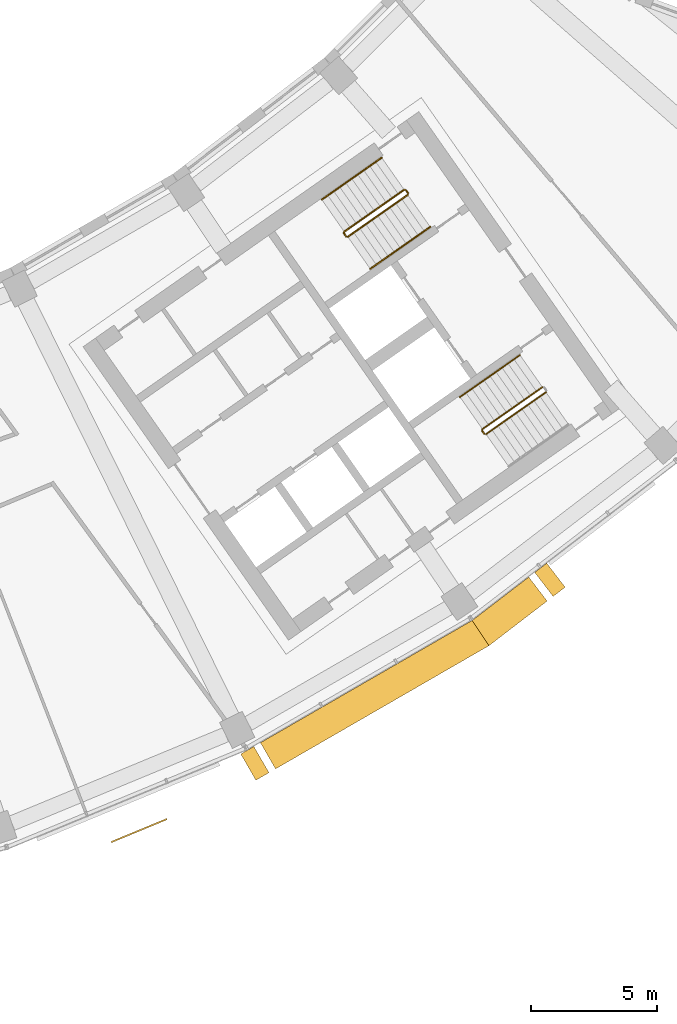
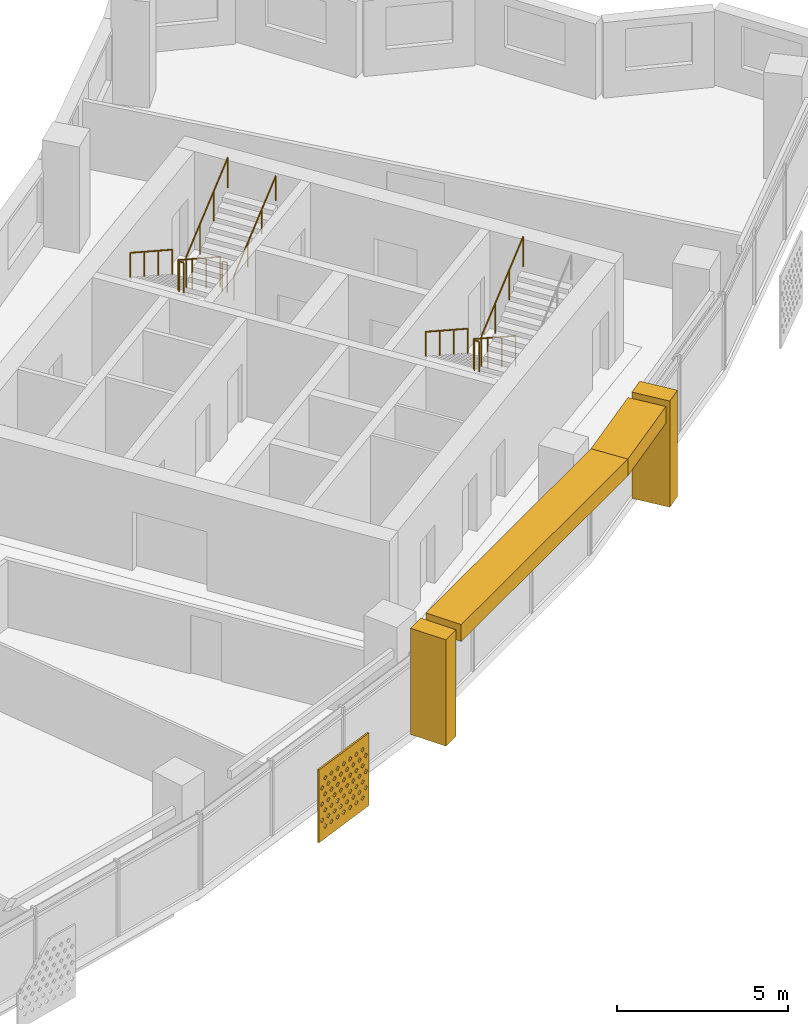
# One storey, part 26 of 27: 8 railings, 5 shading devices.
"""IFC4 building model written with IfcOpenShell, lengths in metres."""

from ifc_helpers import new_model, si_unit, direction, frame, origin, origin_2d, place, context, subcontext, project, spatial, polyline, circle, outline, extrude, material, material_profile, profile_set, type_object, element, save


model = new_model("IFC4")

# Units and contexts
model_context = context("Model", 3, precision=1e-05, world=origin(), true_north=direction((0.0, 1.0)))
body_context = subcontext(model_context, "Body", "Model", "MODEL_VIEW")
ifc_project = project(units=[si_unit("LENGTHUNIT", "METRE"), si_unit("AREAUNIT", "SQUARE_METRE"), si_unit("VOLUMEUNIT", "CUBIC_METRE"), si_unit("PLANEANGLEUNIT", "RADIAN"), si_unit("MASSUNIT", "GRAM", prefix="KILO")], contexts=[model_context])

# Site, building, storey
site_placement = place(None, origin())
site = spatial("IfcSite", under=ifc_project, at=site_placement, CompositionType="ELEMENT")
building_placement = place(site_placement, origin())
building = spatial("IfcBuilding", under=site, at=building_placement, Name="Qamariyya Broadcast Tower", CompositionType="ELEMENT")
storey_placement = place(building_placement, frame((0.0, 0.0, 237.89990234375)))
storey = spatial("IfcBuildingStorey", under=building, at=storey_placement, Name="L57", CompositionType="ELEMENT", Elevation=237.89990234375)

# Shading devices
ifc_material_1 = material(Name="Steel S355 powder coated deep red", Category="steel")
shading_device_type_1 = type_object("IfcShadingDeviceType", Name="Deep red frame, powder coated steel box section", PredefinedType="USERDEFINED", material=ifc_material_1)
shading_device_1_placement = place(storey_placement, origin())
element("IfcShadingDevice", 1, at=shading_device_1_placement, inside=storey, type_object=shading_device_type_1, Name="e-frm-B4-F3-posta-L57", ObjectType="FRAME", PredefinedType="USERDEFINED", context=body_context, shape_type="SweptSolid", body=[
    extrude(outline(polyline([(34.526123046875, -70.68896484375), (35.126220703125, -71.728271484375), (35.645751953125, -71.42822265625), (35.0458984375, -70.38916015625), (34.526123046875, -70.68896484375)])), origin(), (0.0, 0.0, 1.0), 3.800048828125),
])
shading_device_2_placement = place(storey_placement, origin())
element("IfcShadingDevice", 2, at=shading_device_2_placement, inside=storey, type_object=shading_device_type_1, Name="e-frm-B4-F3-postb-L57", ObjectType="FRAME", PredefinedType="USERDEFINED", context=body_context, shape_type="SweptSolid", body=[
    extrude(outline(polyline([(46.17822265625, -63.489990234375), (46.90869140625, -64.442138671875), (47.384765625, -64.076904296875), (46.654296875, -63.124755859375), (46.17822265625, -63.489990234375)])), origin(), (0.0, 0.0, 1.0), 3.800048828125),
])
shading_device_3_placement = place(storey_placement, frame((0.0, 0.0, 3.2001953125)))
element("IfcShadingDevice", 3, at=shading_device_3_placement, inside=storey, type_object=shading_device_type_1, Name="e-frm-B4-F3-top0", ObjectType="FRAME", PredefinedType="USERDEFINED", context=body_context, shape_type="SweptSolid", body=[
    extrude(outline(polyline([(35.3056640625, -70.239013671875), (35.905517578125, -71.2783203125), (44.36376953125, -66.39501953125), (43.695556640625, -65.39501953125), (35.3056640625, -70.239013671875)])), origin(), (0.0, 0.0, 1.0), 0.599853515625),
])
shading_device_4_placement = place(storey_placement, frame((0.0, 0.0, 3.2001953125)))
element("IfcShadingDevice", 4, at=shading_device_4_placement, inside=storey, type_object=shading_device_type_1, Name="e-frm-B4-F3-top1", ObjectType="FRAME", PredefinedType="USERDEFINED", context=body_context, shape_type="SweptSolid", body=[
    extrude(outline(polyline([(43.695556640625, -65.39501953125), (44.36376953125, -66.39501953125), (46.670654296875, -64.624755859375), (45.940185546875, -63.672607421875), (43.695556640625, -65.39501953125)])), origin(), (0.0, 0.0, 1.0), 0.599853515625),
])
ifc_material_2 = material(Name="Perforated glazed terracotta", Category="masonry")
ifc_material_profile = material_profile(ifc_material_2, outline(polyline([(-1.199951171875, -1.300048828125), (1.199951171875, -1.300048828125), (1.199951171875, 1.300048828125), (-1.199951171875, 1.300048828125), (-1.199951171875, -1.300048828125)]), holes=[polyline([(-0.81494140625, -0.86669921875), (-0.89990234375, -0.78173828125), (-0.985107421875, -0.86669921875), (-0.89990234375, -0.95166015625), (-0.81494140625, -0.86669921875)]), polyline([(-0.514892578125, -0.86669921875), (-0.60009765625, -0.78173828125), (-0.68505859375, -0.86669921875), (-0.60009765625, -0.95166015625), (-0.514892578125, -0.86669921875)]), polyline([(-0.215087890625, -0.86669921875), (-0.300048828125, -0.78173828125), (-0.385009765625, -0.86669921875), (-0.300048828125, -0.95166015625), (-0.215087890625, -0.86669921875)]), polyline([(0.0849609375, -0.86669921875), (0.0, -0.78173828125), (-0.0849609375, -0.86669921875), (0.0, -0.95166015625), (0.0849609375, -0.86669921875)]), polyline([(0.385009765625, -0.86669921875), (0.300048828125, -0.78173828125), (0.215087890625, -0.86669921875), (0.300048828125, -0.95166015625), (0.385009765625, -0.86669921875)]), polyline([(0.68505859375, -0.86669921875), (0.60009765625, -0.78173828125), (0.514892578125, -0.86669921875), (0.60009765625, -0.95166015625), (0.68505859375, -0.86669921875)]), polyline([(0.985107421875, -0.86669921875), (0.89990234375, -0.78173828125), (0.81494140625, -0.86669921875), (0.89990234375, -0.95166015625), (0.985107421875, -0.86669921875)]), polyline([(-0.965087890625, -0.577880859375), (-1.050048828125, -0.49267578125), (-1.135009765625, -0.577880859375), (-1.050048828125, -0.662841796875), (-0.965087890625, -0.577880859375)]), polyline([(-0.6650390625, -0.577880859375), (-0.75, -0.49267578125), (-0.8349609375, -0.577880859375), (-0.75, -0.662841796875), (-0.6650390625, -0.577880859375)]), polyline([(-0.364990234375, -0.577880859375), (-0.449951171875, -0.49267578125), (-0.534912109375, -0.577880859375), (-0.449951171875, -0.662841796875), (-0.364990234375, -0.577880859375)]), polyline([(-0.06494140625, -0.577880859375), (-0.14990234375, -0.49267578125), (-0.235107421875, -0.577880859375), (-0.14990234375, -0.662841796875), (-0.06494140625, -0.577880859375)]), polyline([(0.235107421875, -0.577880859375), (0.14990234375, -0.49267578125), (0.06494140625, -0.577880859375), (0.14990234375, -0.662841796875), (0.235107421875, -0.577880859375)]), polyline([(0.534912109375, -0.577880859375), (0.449951171875, -0.49267578125), (0.364990234375, -0.577880859375), (0.449951171875, -0.662841796875), (0.534912109375, -0.577880859375)]), polyline([(0.8349609375, -0.577880859375), (0.75, -0.49267578125), (0.6650390625, -0.577880859375), (0.75, -0.662841796875), (0.8349609375, -0.577880859375)]), polyline([(1.135009765625, -0.577880859375), (1.050048828125, -0.49267578125), (0.965087890625, -0.577880859375), (1.050048828125, -0.662841796875), (1.135009765625, -0.577880859375)]), polyline([(-0.81494140625, -0.288818359375), (-0.89990234375, -0.203857421875), (-0.985107421875, -0.288818359375), (-0.89990234375, -0.373779296875), (-0.81494140625, -0.288818359375)]), polyline([(-0.514892578125, -0.288818359375), (-0.60009765625, -0.203857421875), (-0.68505859375, -0.288818359375), (-0.60009765625, -0.373779296875), (-0.514892578125, -0.288818359375)]), polyline([(-0.215087890625, -0.288818359375), (-0.300048828125, -0.203857421875), (-0.385009765625, -0.288818359375), (-0.300048828125, -0.373779296875), (-0.215087890625, -0.288818359375)]), polyline([(0.0849609375, -0.288818359375), (0.0, -0.203857421875), (-0.0849609375, -0.288818359375), (0.0, -0.373779296875), (0.0849609375, -0.288818359375)]), polyline([(0.385009765625, -0.288818359375), (0.300048828125, -0.203857421875), (0.215087890625, -0.288818359375), (0.300048828125, -0.373779296875), (0.385009765625, -0.288818359375)]), polyline([(0.68505859375, -0.288818359375), (0.60009765625, -0.203857421875), (0.514892578125, -0.288818359375), (0.60009765625, -0.373779296875), (0.68505859375, -0.288818359375)]), polyline([(0.985107421875, -0.288818359375), (0.89990234375, -0.203857421875), (0.81494140625, -0.288818359375), (0.89990234375, -0.373779296875), (0.985107421875, -0.288818359375)]), polyline([(-0.965087890625, 0.0), (-1.050048828125, 0.0849609375), (-1.135009765625, 0.0), (-1.050048828125, -0.0849609375), (-0.965087890625, 0.0)]), polyline([(-0.6650390625, 0.0), (-0.75, 0.0849609375), (-0.8349609375, 0.0), (-0.75, -0.0849609375), (-0.6650390625, 0.0)]), polyline([(-0.364990234375, 0.0), (-0.449951171875, 0.0849609375), (-0.534912109375, 0.0), (-0.449951171875, -0.0849609375), (-0.364990234375, 0.0)]), polyline([(-0.06494140625, 0.0), (-0.14990234375, 0.0849609375), (-0.235107421875, 0.0), (-0.14990234375, -0.0849609375), (-0.06494140625, 0.0)]), polyline([(0.235107421875, 0.0), (0.14990234375, 0.0849609375), (0.06494140625, 0.0), (0.14990234375, -0.0849609375), (0.235107421875, 0.0)]), polyline([(0.534912109375, 0.0), (0.449951171875, 0.0849609375), (0.364990234375, 0.0), (0.449951171875, -0.0849609375), (0.534912109375, 0.0)]), polyline([(0.8349609375, 0.0), (0.75, 0.0849609375), (0.6650390625, 0.0), (0.75, -0.0849609375), (0.8349609375, 0.0)]), polyline([(1.135009765625, 0.0), (1.050048828125, 0.0849609375), (0.965087890625, 0.0), (1.050048828125, -0.0849609375), (1.135009765625, 0.0)]), polyline([(-0.81494140625, 0.288818359375), (-0.89990234375, 0.373779296875), (-0.985107421875, 0.288818359375), (-0.89990234375, 0.203857421875), (-0.81494140625, 0.288818359375)]), polyline([(-0.514892578125, 0.288818359375), (-0.60009765625, 0.373779296875), (-0.68505859375, 0.288818359375), (-0.60009765625, 0.203857421875), (-0.514892578125, 0.288818359375)]), polyline([(-0.215087890625, 0.288818359375), (-0.300048828125, 0.373779296875), (-0.385009765625, 0.288818359375), (-0.300048828125, 0.203857421875), (-0.215087890625, 0.288818359375)]), polyline([(0.0849609375, 0.288818359375), (0.0, 0.373779296875), (-0.0849609375, 0.288818359375), (0.0, 0.203857421875), (0.0849609375, 0.288818359375)]), polyline([(0.385009765625, 0.288818359375), (0.300048828125, 0.373779296875), (0.215087890625, 0.288818359375), (0.300048828125, 0.203857421875), (0.385009765625, 0.288818359375)]), polyline([(0.68505859375, 0.288818359375), (0.60009765625, 0.373779296875), (0.514892578125, 0.288818359375), (0.60009765625, 0.203857421875), (0.68505859375, 0.288818359375)]), polyline([(0.985107421875, 0.288818359375), (0.89990234375, 0.373779296875), (0.81494140625, 0.288818359375), (0.89990234375, 0.203857421875), (0.985107421875, 0.288818359375)]), polyline([(-0.965087890625, 0.577880859375), (-1.050048828125, 0.662841796875), (-1.135009765625, 0.577880859375), (-1.050048828125, 0.49267578125), (-0.965087890625, 0.577880859375)]), polyline([(-0.6650390625, 0.577880859375), (-0.75, 0.662841796875), (-0.8349609375, 0.577880859375), (-0.75, 0.49267578125), (-0.6650390625, 0.577880859375)]), polyline([(-0.364990234375, 0.577880859375), (-0.449951171875, 0.662841796875), (-0.534912109375, 0.577880859375), (-0.449951171875, 0.49267578125), (-0.364990234375, 0.577880859375)]), polyline([(-0.06494140625, 0.577880859375), (-0.14990234375, 0.662841796875), (-0.235107421875, 0.577880859375), (-0.14990234375, 0.49267578125), (-0.06494140625, 0.577880859375)]), polyline([(0.235107421875, 0.577880859375), (0.14990234375, 0.662841796875), (0.06494140625, 0.577880859375), (0.14990234375, 0.49267578125), (0.235107421875, 0.577880859375)]), polyline([(0.534912109375, 0.577880859375), (0.449951171875, 0.662841796875), (0.364990234375, 0.577880859375), (0.449951171875, 0.49267578125), (0.534912109375, 0.577880859375)]), polyline([(0.8349609375, 0.577880859375), (0.75, 0.662841796875), (0.6650390625, 0.577880859375), (0.75, 0.49267578125), (0.8349609375, 0.577880859375)]), polyline([(1.135009765625, 0.577880859375), (1.050048828125, 0.662841796875), (0.965087890625, 0.577880859375), (1.050048828125, 0.49267578125), (1.135009765625, 0.577880859375)]), polyline([(-0.81494140625, 0.86669921875), (-0.89990234375, 0.95166015625), (-0.985107421875, 0.86669921875), (-0.89990234375, 0.78173828125), (-0.81494140625, 0.86669921875)]), polyline([(-0.514892578125, 0.86669921875), (-0.60009765625, 0.95166015625), (-0.68505859375, 0.86669921875), (-0.60009765625, 0.78173828125), (-0.514892578125, 0.86669921875)]), polyline([(-0.215087890625, 0.86669921875), (-0.300048828125, 0.95166015625), (-0.385009765625, 0.86669921875), (-0.300048828125, 0.78173828125), (-0.215087890625, 0.86669921875)]), polyline([(0.0849609375, 0.86669921875), (0.0, 0.95166015625), (-0.0849609375, 0.86669921875), (0.0, 0.78173828125), (0.0849609375, 0.86669921875)]), polyline([(0.385009765625, 0.86669921875), (0.300048828125, 0.95166015625), (0.215087890625, 0.86669921875), (0.300048828125, 0.78173828125), (0.385009765625, 0.86669921875)]), polyline([(0.68505859375, 0.86669921875), (0.60009765625, 0.95166015625), (0.514892578125, 0.86669921875), (0.60009765625, 0.78173828125), (0.68505859375, 0.86669921875)]), polyline([(0.985107421875, 0.86669921875), (0.89990234375, 0.95166015625), (0.81494140625, 0.86669921875), (0.89990234375, 0.78173828125), (0.985107421875, 0.86669921875)])]))
ifc_profile_set = profile_set([ifc_material_profile], Name="Perforated glazed terracotta")
shading_device_type_2 = type_object("IfcShadingDeviceType", Name="Perforated terracotta screen 2400 x 2600", PredefinedType="USERDEFINED", material=ifc_profile_set)
shading_device_5_placement = place(storey_placement, frame((30.486328125, -73.694580078125, 1.35009765625), z_axis=(0.382591441855, -0.923917630863, 0.0), x_axis=(0.923917630863, 0.382591441855, 0.0)))
element("IfcShadingDevice", 5, at=shading_device_5_placement, inside=storey, type_object=shading_device_type_2, Name="e-scr-L57-11-1", ObjectType="SCREEN", PredefinedType="USERDEFINED", context=body_context, shape_type="SweptSolid", body=[
    extrude(outline(polyline([(-1.199951171875, -1.300048828125), (1.199951171875, -1.300048828125), (1.199951171875, 1.300048828125), (-1.199951171875, 1.300048828125), (-1.199951171875, -1.300048828125)]), holes=[polyline([(-0.81494140625, -0.86669921875), (-0.89990234375, -0.78173828125), (-0.985107421875, -0.86669921875), (-0.89990234375, -0.95166015625), (-0.81494140625, -0.86669921875)]), polyline([(-0.514892578125, -0.86669921875), (-0.60009765625, -0.78173828125), (-0.68505859375, -0.86669921875), (-0.60009765625, -0.95166015625), (-0.514892578125, -0.86669921875)]), polyline([(-0.215087890625, -0.86669921875), (-0.300048828125, -0.78173828125), (-0.385009765625, -0.86669921875), (-0.300048828125, -0.95166015625), (-0.215087890625, -0.86669921875)]), polyline([(0.0849609375, -0.86669921875), (0.0, -0.78173828125), (-0.0849609375, -0.86669921875), (0.0, -0.95166015625), (0.0849609375, -0.86669921875)]), polyline([(0.385009765625, -0.86669921875), (0.300048828125, -0.78173828125), (0.215087890625, -0.86669921875), (0.300048828125, -0.95166015625), (0.385009765625, -0.86669921875)]), polyline([(0.68505859375, -0.86669921875), (0.60009765625, -0.78173828125), (0.514892578125, -0.86669921875), (0.60009765625, -0.95166015625), (0.68505859375, -0.86669921875)]), polyline([(0.985107421875, -0.86669921875), (0.89990234375, -0.78173828125), (0.81494140625, -0.86669921875), (0.89990234375, -0.95166015625), (0.985107421875, -0.86669921875)]), polyline([(-0.965087890625, -0.577880859375), (-1.050048828125, -0.49267578125), (-1.135009765625, -0.577880859375), (-1.050048828125, -0.662841796875), (-0.965087890625, -0.577880859375)]), polyline([(-0.6650390625, -0.577880859375), (-0.75, -0.49267578125), (-0.8349609375, -0.577880859375), (-0.75, -0.662841796875), (-0.6650390625, -0.577880859375)]), polyline([(-0.364990234375, -0.577880859375), (-0.449951171875, -0.49267578125), (-0.534912109375, -0.577880859375), (-0.449951171875, -0.662841796875), (-0.364990234375, -0.577880859375)]), polyline([(-0.06494140625, -0.577880859375), (-0.14990234375, -0.49267578125), (-0.235107421875, -0.577880859375), (-0.14990234375, -0.662841796875), (-0.06494140625, -0.577880859375)]), polyline([(0.235107421875, -0.577880859375), (0.14990234375, -0.49267578125), (0.06494140625, -0.577880859375), (0.14990234375, -0.662841796875), (0.235107421875, -0.577880859375)]), polyline([(0.534912109375, -0.577880859375), (0.449951171875, -0.49267578125), (0.364990234375, -0.577880859375), (0.449951171875, -0.662841796875), (0.534912109375, -0.577880859375)]), polyline([(0.8349609375, -0.577880859375), (0.75, -0.49267578125), (0.6650390625, -0.577880859375), (0.75, -0.662841796875), (0.8349609375, -0.577880859375)]), polyline([(1.135009765625, -0.577880859375), (1.050048828125, -0.49267578125), (0.965087890625, -0.577880859375), (1.050048828125, -0.662841796875), (1.135009765625, -0.577880859375)]), polyline([(-0.81494140625, -0.288818359375), (-0.89990234375, -0.203857421875), (-0.985107421875, -0.288818359375), (-0.89990234375, -0.373779296875), (-0.81494140625, -0.288818359375)]), polyline([(-0.514892578125, -0.288818359375), (-0.60009765625, -0.203857421875), (-0.68505859375, -0.288818359375), (-0.60009765625, -0.373779296875), (-0.514892578125, -0.288818359375)]), polyline([(-0.215087890625, -0.288818359375), (-0.300048828125, -0.203857421875), (-0.385009765625, -0.288818359375), (-0.300048828125, -0.373779296875), (-0.215087890625, -0.288818359375)]), polyline([(0.0849609375, -0.288818359375), (0.0, -0.203857421875), (-0.0849609375, -0.288818359375), (0.0, -0.373779296875), (0.0849609375, -0.288818359375)]), polyline([(0.385009765625, -0.288818359375), (0.300048828125, -0.203857421875), (0.215087890625, -0.288818359375), (0.300048828125, -0.373779296875), (0.385009765625, -0.288818359375)]), polyline([(0.68505859375, -0.288818359375), (0.60009765625, -0.203857421875), (0.514892578125, -0.288818359375), (0.60009765625, -0.373779296875), (0.68505859375, -0.288818359375)]), polyline([(0.985107421875, -0.288818359375), (0.89990234375, -0.203857421875), (0.81494140625, -0.288818359375), (0.89990234375, -0.373779296875), (0.985107421875, -0.288818359375)]), polyline([(-0.965087890625, 0.0), (-1.050048828125, 0.0849609375), (-1.135009765625, 0.0), (-1.050048828125, -0.0849609375), (-0.965087890625, 0.0)]), polyline([(-0.6650390625, 0.0), (-0.75, 0.0849609375), (-0.8349609375, 0.0), (-0.75, -0.0849609375), (-0.6650390625, 0.0)]), polyline([(-0.364990234375, 0.0), (-0.449951171875, 0.0849609375), (-0.534912109375, 0.0), (-0.449951171875, -0.0849609375), (-0.364990234375, 0.0)]), polyline([(-0.06494140625, 0.0), (-0.14990234375, 0.0849609375), (-0.235107421875, 0.0), (-0.14990234375, -0.0849609375), (-0.06494140625, 0.0)]), polyline([(0.235107421875, 0.0), (0.14990234375, 0.0849609375), (0.06494140625, 0.0), (0.14990234375, -0.0849609375), (0.235107421875, 0.0)]), polyline([(0.534912109375, 0.0), (0.449951171875, 0.0849609375), (0.364990234375, 0.0), (0.449951171875, -0.0849609375), (0.534912109375, 0.0)]), polyline([(0.8349609375, 0.0), (0.75, 0.0849609375), (0.6650390625, 0.0), (0.75, -0.0849609375), (0.8349609375, 0.0)]), polyline([(1.135009765625, 0.0), (1.050048828125, 0.0849609375), (0.965087890625, 0.0), (1.050048828125, -0.0849609375), (1.135009765625, 0.0)]), polyline([(-0.81494140625, 0.288818359375), (-0.89990234375, 0.373779296875), (-0.985107421875, 0.288818359375), (-0.89990234375, 0.203857421875), (-0.81494140625, 0.288818359375)]), polyline([(-0.514892578125, 0.288818359375), (-0.60009765625, 0.373779296875), (-0.68505859375, 0.288818359375), (-0.60009765625, 0.203857421875), (-0.514892578125, 0.288818359375)]), polyline([(-0.215087890625, 0.288818359375), (-0.300048828125, 0.373779296875), (-0.385009765625, 0.288818359375), (-0.300048828125, 0.203857421875), (-0.215087890625, 0.288818359375)]), polyline([(0.0849609375, 0.288818359375), (0.0, 0.373779296875), (-0.0849609375, 0.288818359375), (0.0, 0.203857421875), (0.0849609375, 0.288818359375)]), polyline([(0.385009765625, 0.288818359375), (0.300048828125, 0.373779296875), (0.215087890625, 0.288818359375), (0.300048828125, 0.203857421875), (0.385009765625, 0.288818359375)]), polyline([(0.68505859375, 0.288818359375), (0.60009765625, 0.373779296875), (0.514892578125, 0.288818359375), (0.60009765625, 0.203857421875), (0.68505859375, 0.288818359375)]), polyline([(0.985107421875, 0.288818359375), (0.89990234375, 0.373779296875), (0.81494140625, 0.288818359375), (0.89990234375, 0.203857421875), (0.985107421875, 0.288818359375)]), polyline([(-0.965087890625, 0.577880859375), (-1.050048828125, 0.662841796875), (-1.135009765625, 0.577880859375), (-1.050048828125, 0.49267578125), (-0.965087890625, 0.577880859375)]), polyline([(-0.6650390625, 0.577880859375), (-0.75, 0.662841796875), (-0.8349609375, 0.577880859375), (-0.75, 0.49267578125), (-0.6650390625, 0.577880859375)]), polyline([(-0.364990234375, 0.577880859375), (-0.449951171875, 0.662841796875), (-0.534912109375, 0.577880859375), (-0.449951171875, 0.49267578125), (-0.364990234375, 0.577880859375)]), polyline([(-0.06494140625, 0.577880859375), (-0.14990234375, 0.662841796875), (-0.235107421875, 0.577880859375), (-0.14990234375, 0.49267578125), (-0.06494140625, 0.577880859375)]), polyline([(0.235107421875, 0.577880859375), (0.14990234375, 0.662841796875), (0.06494140625, 0.577880859375), (0.14990234375, 0.49267578125), (0.235107421875, 0.577880859375)]), polyline([(0.534912109375, 0.577880859375), (0.449951171875, 0.662841796875), (0.364990234375, 0.577880859375), (0.449951171875, 0.49267578125), (0.534912109375, 0.577880859375)]), polyline([(0.8349609375, 0.577880859375), (0.75, 0.662841796875), (0.6650390625, 0.577880859375), (0.75, 0.49267578125), (0.8349609375, 0.577880859375)]), polyline([(1.135009765625, 0.577880859375), (1.050048828125, 0.662841796875), (0.965087890625, 0.577880859375), (1.050048828125, 0.49267578125), (1.135009765625, 0.577880859375)]), polyline([(-0.81494140625, 0.86669921875), (-0.89990234375, 0.95166015625), (-0.985107421875, 0.86669921875), (-0.89990234375, 0.78173828125), (-0.81494140625, 0.86669921875)]), polyline([(-0.514892578125, 0.86669921875), (-0.60009765625, 0.95166015625), (-0.68505859375, 0.86669921875), (-0.60009765625, 0.78173828125), (-0.514892578125, 0.86669921875)]), polyline([(-0.215087890625, 0.86669921875), (-0.300048828125, 0.95166015625), (-0.385009765625, 0.86669921875), (-0.300048828125, 0.78173828125), (-0.215087890625, 0.86669921875)]), polyline([(0.0849609375, 0.86669921875), (0.0, 0.95166015625), (-0.0849609375, 0.86669921875), (0.0, 0.78173828125), (0.0849609375, 0.86669921875)]), polyline([(0.385009765625, 0.86669921875), (0.300048828125, 0.95166015625), (0.215087890625, 0.86669921875), (0.300048828125, 0.78173828125), (0.385009765625, 0.86669921875)]), polyline([(0.68505859375, 0.86669921875), (0.60009765625, 0.95166015625), (0.514892578125, 0.86669921875), (0.60009765625, 0.78173828125), (0.68505859375, 0.86669921875)]), polyline([(0.985107421875, 0.86669921875), (0.89990234375, 0.95166015625), (0.81494140625, 0.86669921875), (0.89990234375, 0.78173828125), (0.985107421875, 0.86669921875)])]), origin(), (0.0, 0.0, 1.0), 0.06005859375),
])

# Railings
ifc_material_3 = material(Name="Painted steel", Category="steel")
railing_type_1 = type_object("IfcRailingType", Name="Stair guard", PredefinedType="GUARDRAIL", material=ifc_material_3)
railing_1_placement = place(storey_placement, frame((41.003173828125, -48.320068359375, 0.1728515625)))
element("IfcRailing", 6, at=railing_1_placement, inside=storey, type_object=railing_type_1, Name="L57 ST-E2 stair guard 1", PredefinedType="GUARDRAIL", context=body_context, shape_type="SweptSolid", body=[
    extrude(circle(Radius=0.02392578125, at=origin_2d()), frame((0.0, 0.0, 1.076171875), z_axis=(-0.703770094002, -0.492783725636, 0.511734163933), x_axis=(0.573575343427, -0.819152809562, 0.0)), (0.0, 0.0, 1.0), 3.37548828125),
    extrude(circle(Radius=0.02392578125, at=origin_2d()), frame((-2.37548828125, -1.663330078125, 2.80322265625), z_axis=(-0.172799478008, -0.984957024646, 0.0), x_axis=(0.984957024646, -0.172799478008, 0.0)), (0.0, 0.0, 1.0), 0.070556640625),
    extrude(circle(Radius=0.02392578125, at=origin_2d()), frame((-2.3876953125, -1.73291015625, 2.80322265625), z_axis=(0.572588637393, -0.819842821722, 0.0), x_axis=(0.819842821722, 0.572588637393, 0.0)), (0.0, 0.0, 1.0), 0.150146484375),
    extrude(circle(Radius=0.02099609375, at=origin_2d()), origin(), (0.0, 0.0, 1.0), 1.052001953125),
    extrude(circle(Radius=0.02099609375, at=origin_2d()), frame((-0.791748046875, -0.554443359375, 0.57568359375)), (0.0, 0.0, 1.0), 1.052001953125),
    extrude(circle(Radius=0.02099609375, at=origin_2d()), frame((-1.583740234375, -1.10888671875, 1.151611328125)), (0.0, 0.0, 1.0), 1.052001953125),
    extrude(circle(Radius=0.02099609375, at=origin_2d()), frame((-2.37548828125, -1.663330078125, 1.727294921875)), (0.0, 0.0, 1.0), 1.052001953125),
    extrude(circle(Radius=0.02099609375, at=origin_2d()), frame((-2.3876953125, -1.73291015625, 1.727294921875)), (0.0, 0.0, 1.0), 1.052001953125),
    extrude(circle(Radius=0.02099609375, at=origin_2d()), frame((-2.3017578125, -1.85595703125, 1.727294921875)), (0.0, 0.0, 1.0), 1.052001953125),
])
railing_2_placement = place(storey_placement, frame((38.771240234375, -50.188232421875, 2.07275390625)))
element("IfcRailing", 7, at=railing_2_placement, inside=storey, type_object=railing_type_1, Name="L57 ST-E2 stair guard 2", PredefinedType="GUARDRAIL", context=body_context, shape_type="SweptSolid", body=[
    extrude(circle(Radius=0.02392578125, at=origin_2d()), frame((0.0, 0.0, 1.076171875), z_axis=(0.703770094002, 0.492783725636, 0.511734163933), x_axis=(-0.573575343427, 0.819152809562, 0.0)), (0.0, 0.0, 1.0), 3.37548828125),
    extrude(circle(Radius=0.02099609375, at=origin_2d()), origin(), (0.0, 0.0, 1.0), 1.052001953125),
    extrude(circle(Radius=0.02099609375, at=origin_2d()), frame((0.791748046875, 0.554443359375, 0.57568359375)), (0.0, 0.0, 1.0), 1.052001953125),
    extrude(circle(Radius=0.02099609375, at=origin_2d()), frame((1.583740234375, 1.10888671875, 1.151611328125)), (0.0, 0.0, 1.0), 1.052001953125),
    extrude(circle(Radius=0.02099609375, at=origin_2d()), frame((2.37548828125, 1.663330078125, 1.727294921875)), (0.0, 0.0, 1.0), 1.052001953125),
])
railing_3_placement = place(storey_placement, frame((41.072998046875, -48.332275390625, 0.0)))
element("IfcRailing", 8, at=railing_3_placement, inside=storey, type_object=railing_type_1, Name="L57 ST-E2 stair guard 3", PredefinedType="GUARDRAIL", context=body_context, shape_type="SweptSolid", body=[
    extrude(circle(Radius=0.02392578125, at=origin_2d()), frame((0.0, 0.0, 1.076171875), z_axis=(0.572588637393, -0.819842821722, 0.0), x_axis=(0.819842821722, 0.572588637393, 0.0)), (0.0, 0.0, 1.0), 0.150146484375),
    extrude(circle(Radius=0.02099609375, at=origin_2d()), origin(), (0.0, 0.0, 1.0), 1.052001953125),
    extrude(circle(Radius=0.02099609375, at=origin_2d()), frame((0.0859375, -0.123046875, 0.0)), (0.0, 0.0, 1.0), 1.052001953125),
])
railing_4_placement = place(storey_placement, frame((46.48095703125, -56.14306640625, 0.1728515625)))
element("IfcRailing", 9, at=railing_4_placement, inside=storey, type_object=railing_type_1, Name="L57 ST-E1 stair guard 1", PredefinedType="GUARDRAIL", context=body_context, shape_type="SweptSolid", body=[
    extrude(circle(Radius=0.02392578125, at=origin_2d()), frame((0.0, 0.0, 1.076171875), z_axis=(-0.703770094002, -0.492783725636, 0.511734163933), x_axis=(0.573575343427, -0.819152809562, 0.0)), (0.0, 0.0, 1.0), 3.37548828125),
    extrude(circle(Radius=0.02392578125, at=origin_2d()), frame((-2.37548828125, -1.663330078125, 2.80322265625), z_axis=(-0.176149252506, -0.984363469884, 0.0), x_axis=(0.984363469884, -0.176149252506, 0.0)), (0.0, 0.0, 1.0), 0.07080078125),
    extrude(circle(Radius=0.02392578125, at=origin_2d()), frame((-2.387939453125, -1.73291015625, 2.80322265625), z_axis=(0.574444878118, -0.818543268254, 0.0), x_axis=(0.818543268254, 0.574444878118, 0.0)), (0.0, 0.0, 1.0), 0.150146484375),
    extrude(circle(Radius=0.02099609375, at=origin_2d()), origin(), (0.0, 0.0, 1.0), 1.052001953125),
    extrude(circle(Radius=0.02099609375, at=origin_2d()), frame((-0.791748046875, -0.554443359375, 0.57568359375)), (0.0, 0.0, 1.0), 1.052001953125),
    extrude(circle(Radius=0.02099609375, at=origin_2d()), frame((-1.583740234375, -1.10888671875, 1.151611328125)), (0.0, 0.0, 1.0), 1.052001953125),
    extrude(circle(Radius=0.02099609375, at=origin_2d()), frame((-2.37548828125, -1.663330078125, 1.727294921875)), (0.0, 0.0, 1.0), 1.052001953125),
    extrude(circle(Radius=0.02099609375, at=origin_2d()), frame((-2.387939453125, -1.73291015625, 1.727294921875)), (0.0, 0.0, 1.0), 1.052001953125),
    extrude(circle(Radius=0.02099609375, at=origin_2d()), frame((-2.3017578125, -1.855712890625, 1.727294921875)), (0.0, 0.0, 1.0), 1.052001953125),
])
railing_5_placement = place(storey_placement, frame((44.248779296875, -58.01123046875, 2.07275390625)))
element("IfcRailing", 10, at=railing_5_placement, inside=storey, type_object=railing_type_1, Name="L57 ST-E1 stair guard 2", PredefinedType="GUARDRAIL", context=body_context, shape_type="SweptSolid", body=[
    extrude(circle(Radius=0.02392578125, at=origin_2d()), frame((0.0, 0.0, 1.076171875), z_axis=(0.703745009021, 0.492838488332, 0.511715923826), x_axis=(-0.573631830683, 0.819113253969, 0.0)), (0.0, 0.0, 1.0), 3.37548828125),
    extrude(circle(Radius=0.02099609375, at=origin_2d()), origin(), (0.0, 0.0, 1.0), 1.052001953125),
    extrude(circle(Radius=0.02099609375, at=origin_2d()), frame((0.791748046875, 0.554443359375, 0.57568359375)), (0.0, 0.0, 1.0), 1.052001953125),
    extrude(circle(Radius=0.02099609375, at=origin_2d()), frame((1.583740234375, 1.109130859375, 1.151611328125)), (0.0, 0.0, 1.0), 1.052001953125),
    extrude(circle(Radius=0.02099609375, at=origin_2d()), frame((2.37548828125, 1.66357421875, 1.727294921875)), (0.0, 0.0, 1.0), 1.052001953125),
])
ifc_material_4 = material(Name="Stainless steel", Category="steel")
railing_type_2 = type_object("IfcRailingType", Name="Stair handrail", PredefinedType="HANDRAIL", material=ifc_material_4)
railing_6_placement = place(storey_placement, frame((40.1142578125, -47.05029296875, 0.1728515625)))
element("IfcRailing", 11, at=railing_6_placement, inside=storey, type_object=railing_type_2, Name="L57 ST-E2 stair handrail 1", PredefinedType="HANDRAIL", context=body_context, shape_type="SweptSolid", body=[
    extrude(circle(Radius=0.02392578125, at=origin_2d()), frame((0.0, 0.0, 0.8759765625), z_axis=(-0.703745009021, -0.492838488332, 0.511715923826), x_axis=(0.573631830683, -0.819113253969, 0.0)), (0.0, 0.0, 1.0), 3.37548828125),
    extrude(circle(Radius=0.02099609375, at=origin_2d()), origin(), (0.0, 0.0, 1.0), 0.851806640625),
    extrude(circle(Radius=0.02099609375, at=origin_2d()), frame((-0.791748046875, -0.554443359375, 0.57568359375)), (0.0, 0.0, 1.0), 0.851806640625),
    extrude(circle(Radius=0.02099609375, at=origin_2d()), frame((-1.583740234375, -1.109130859375, 1.151611328125)), (0.0, 0.0, 1.0), 0.851806640625),
    extrude(circle(Radius=0.02099609375, at=origin_2d()), frame((-2.37548828125, -1.66357421875, 1.727294921875)), (0.0, 0.0, 1.0), 0.851806640625),
])
railing_7_placement = place(storey_placement, frame((39.66015625, -51.4580078125, 2.07275390625)))
element("IfcRailing", 12, at=railing_7_placement, inside=storey, type_object=railing_type_2, Name="L57 ST-E2 stair handrail 2", PredefinedType="HANDRAIL", context=body_context, shape_type="SweptSolid", body=[
    extrude(circle(Radius=0.02392578125, at=origin_2d()), frame((0.0, 0.0, 0.8759765625), z_axis=(0.703745009021, 0.492838488332, 0.511715923826), x_axis=(-0.573631830683, 0.819113253969, 0.0)), (0.0, 0.0, 1.0), 3.37548828125),
    extrude(circle(Radius=0.02099609375, at=origin_2d()), origin(), (0.0, 0.0, 1.0), 0.851806640625),
    extrude(circle(Radius=0.02099609375, at=origin_2d()), frame((0.791748046875, 0.554443359375, 0.57568359375)), (0.0, 0.0, 1.0), 0.851806640625),
    extrude(circle(Radius=0.02099609375, at=origin_2d()), frame((1.583740234375, 1.109130859375, 1.151611328125)), (0.0, 0.0, 1.0), 0.851806640625),
    extrude(circle(Radius=0.02099609375, at=origin_2d()), frame((2.37548828125, 1.66357421875, 1.727294921875)), (0.0, 0.0, 1.0), 0.851806640625),
])
railing_8_placement = place(storey_placement, frame((45.591796875, -54.873291015625, 0.1728515625)))
element("IfcRailing", 13, at=railing_8_placement, inside=storey, type_object=railing_type_2, Name="L57 ST-E1 stair handrail 1", PredefinedType="HANDRAIL", context=body_context, shape_type="SweptSolid", body=[
    extrude(circle(Radius=0.02392578125, at=origin_2d()), frame((0.0, 0.0, 0.8759765625), z_axis=(-0.703770094002, -0.492783725636, 0.511734163933), x_axis=(0.573575343427, -0.819152809562, 0.0)), (0.0, 0.0, 1.0), 3.37548828125),
    extrude(circle(Radius=0.02099609375, at=origin_2d()), origin(), (0.0, 0.0, 1.0), 0.851806640625),
    extrude(circle(Radius=0.02099609375, at=origin_2d()), frame((-0.791748046875, -0.554443359375, 0.57568359375)), (0.0, 0.0, 1.0), 0.851806640625),
    extrude(circle(Radius=0.02099609375, at=origin_2d()), frame((-1.583740234375, -1.10888671875, 1.151611328125)), (0.0, 0.0, 1.0), 0.851806640625),
    extrude(circle(Radius=0.02099609375, at=origin_2d()), frame((-2.37548828125, -1.663330078125, 1.727294921875)), (0.0, 0.0, 1.0), 0.851806640625),
])

save(model, "model.ifc")
